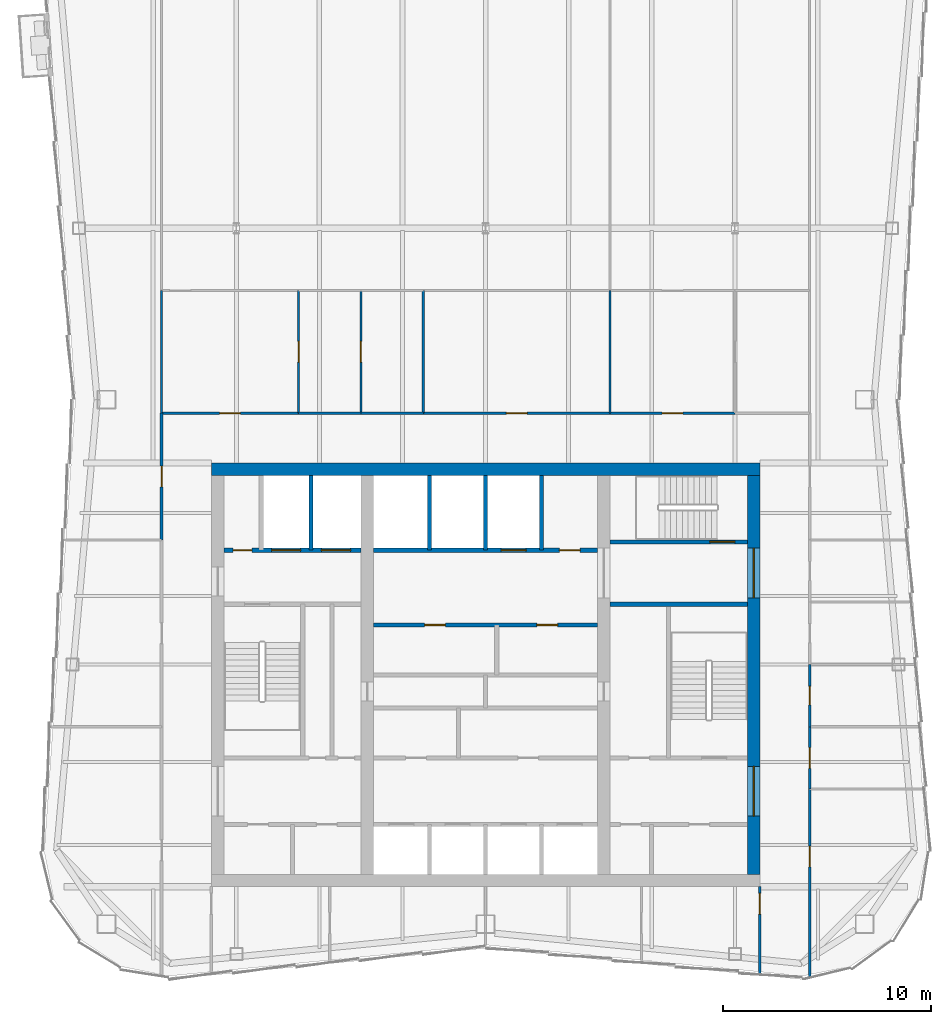
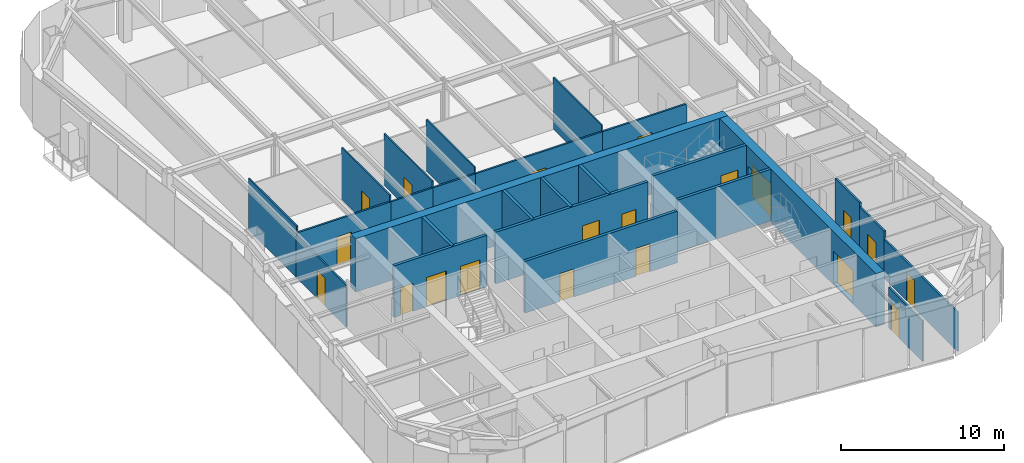
# One storey, part 7 of 11: 26 walls, 20 doors, 20 openings.
"""IFC4 building model written with IfcOpenShell, lengths in metres."""

import ifcopenshell
import ifcopenshell.guid

model = None  # the IFC model being written
_history = None  # IfcOwnerHistory: only IFC2X3 demands one
_inside = {}  # id of a spatial element -> (the spatial element, [elements in it])
_under = {}  # id of a project, library or spatial element -> (it, [spatial elements below it])
_declared = {}  # id of a project -> (the project, [libraries it declares])
_typed = {}  # id of a type object -> (the type object, [elements of that type])
_made_of = {}  # id of a material, layer set ... -> (it, [elements and type objects made of it])


def new_model(schema):
    """Start an empty IFC model of exactly this schema.

    Asked for "IFC4X3", IfcOpenShell would pick the latest addendum, in which some entities
    have other attributes; the version numbers below select the first issue.
    IFC2X3 requires an IfcOwnerHistory on every rooted entity: one is made here for all.
    """
    global model, _history
    if schema == "IFC4X3":
        model = ifcopenshell.file(schema_version=(4, 3, 0, 0))
    else:
        model = ifcopenshell.file(schema=schema)
    _inside.clear()
    _under.clear()
    _declared.clear()
    _typed.clear()
    _made_of.clear()
    _history = None
    if model.schema == "IFC2X3":
        org = make("IfcOrganization", Name="unknown")
        user = make(
            "IfcPersonAndOrganization",
            ThePerson=make("IfcPerson", FamilyName="unknown"),
            TheOrganization=org,
        )
        app = make(
            "IfcApplication",
            ApplicationDeveloper=org,
            Version="unknown",
            ApplicationFullName="unknown",
            ApplicationIdentifier="unknown",
        )
        _history = make(
            "IfcOwnerHistory",
            OwningUser=user,
            OwningApplication=app,
            ChangeAction="ADDED",
            CreationDate=0,
        )
    return model


def make(cls, **values):
    """One entity of the class cls with the attributes given. An attribute that is None is left unset."""
    return model.create_entity(
        cls, **{name: value for name, value in values.items() if value is not None}
    )


def rooted(cls, **values):
    """An entity with a GlobalId (a new one), such as an element, a storey or a relation."""
    return make(cls, GlobalId=ifcopenshell.guid.new(), OwnerHistory=_history, **values)


def si_unit(unit_type, name, prefix=None):
    """IfcSIUnit, for example si_unit("LENGTHUNIT", "METRE", prefix="MILLI")."""
    return make("IfcSIUnit", UnitType=unit_type, Prefix=prefix, Name=name)


def assignment(units):
    """IfcUnitAssignment: the units of a project."""
    return None if units is None else make("IfcUnitAssignment", Units=units)


def point(xyz):
    """IfcCartesianPoint."""
    return None if xyz is None else make("IfcCartesianPoint", Coordinates=xyz)


def direction(xyz):
    """IfcDirection."""
    return None if xyz is None else make("IfcDirection", DirectionRatios=xyz)


def frame(location, z_axis=None, x_axis=None):
    """IfcAxis2Placement3D, a coordinate frame: its origin and axes. An axis left out is left unset."""
    return make(
        "IfcAxis2Placement3D",
        Location=point(location),
        Axis=direction(z_axis),
        RefDirection=direction(x_axis),
    )


def frame_2d(location, x_axis=None):
    """IfcAxis2Placement2D, a coordinate frame in the plane: its origin and x axis."""
    return make(
        "IfcAxis2Placement2D", Location=point(location), RefDirection=direction(x_axis)
    )


def origin():
    """The frame at (0, 0, 0) with its axes left unset."""
    return frame((0.0, 0.0, 0.0))


def place(relative_to, where):
    """IfcLocalPlacement: puts the frame where relative to a parent placement (None: the world)."""
    return make(
        "IfcLocalPlacement", PlacementRelTo=relative_to, RelativePlacement=where
    )


def context(
    kind, dimensions, precision=None, world=None, true_north=None, identifier=None
):
    """IfcGeometricRepresentationContext, for example the 3D "Model" context."""
    return make(
        "IfcGeometricRepresentationContext",
        ContextIdentifier=identifier,
        ContextType=kind,
        CoordinateSpaceDimension=dimensions,
        Precision=precision,
        WorldCoordinateSystem=world,
        TrueNorth=true_north,
    )


def subcontext(parent, identifier, kind, view, scale=None):
    """IfcGeometricRepresentationSubContext, for example "Body" below "Model"."""
    return make(
        "IfcGeometricRepresentationSubContext",
        ContextIdentifier=identifier,
        ContextType=kind,
        ParentContext=parent,
        TargetScale=scale,
        TargetView=view,
    )


def project(units=None, contexts=None):
    """IfcProject with its units and contexts."""
    return rooted(
        "IfcProject",
        Name="project",
        RepresentationContexts=contexts,
        UnitsInContext=assignment(units),
    )


def spatial(cls, under=None, at=None, **own):
    """A site, building, storey or space (cls), placed at a placement, below another one or the project."""
    s = rooted(cls, ObjectPlacement=at, **own)
    if under is not None:
        _under.setdefault(under.id(), (under, []))[1].append(s)
    return s


def profile(cls, at=None, kind="AREA", **sizes):
    """A parametric profile (cls). Its sizes go by their IFC names, for example OverallWidth=200.0."""
    return make(cls, ProfileType=kind, Position=at, **sizes)


def rectangle(**sizes):
    """IfcRectangleProfileDef."""
    return profile("IfcRectangleProfileDef", **sizes)


def extrude(swept, where, along, depth):
    """IfcExtrudedAreaSolid: the profile swept, set in the frame where, extruded along a direction by depth."""
    return make(
        "IfcExtrudedAreaSolid",
        SweptArea=swept,
        Position=where,
        ExtrudedDirection=direction(along),
        Depth=depth,
    )


def shape(context_of_items, identifier, shape_type, items):
    """IfcShapeRepresentation: the items that make up one representation, for example the "Body"."""
    return make(
        "IfcShapeRepresentation",
        ContextOfItems=context_of_items,
        RepresentationIdentifier=identifier,
        RepresentationType=shape_type,
        Items=items,
    )


def material(Name=None, Category=None):
    """IfcMaterial."""
    return make("IfcMaterial", Name=Name, Category=Category)


def layer(
    of_material, thickness, ventilated=None, Name=None, Category=None, Priority=None
):
    """IfcMaterialLayer: one layer of a wall or slab, of a material (None: an air gap)."""
    return make(
        "IfcMaterialLayer",
        Material=of_material,
        LayerThickness=thickness,
        IsVentilated=ventilated,
        Name=Name,
        Category=Category,
        Priority=Priority,
    )


def layer_set(layers, Name=None):
    """IfcMaterialLayerSet."""
    return make("IfcMaterialLayerSet", MaterialLayers=layers, LayerSetName=Name)


def made_of(thing, what):
    """Note that an element or type object is made of a material, layer set ...; save() writes the relation."""
    if what is not None:
        _made_of.setdefault(what.id(), (what, []))[1].append(thing)
    return thing


def type_object(cls, material=None, **own):
    """A type object (cls), such as IfcWallType, which elements share."""
    return made_of(rooted(cls, **own), material)


def element(
    cls,
    number,
    at=None,
    inside=None,
    cuts=None,
    type_object=None,
    material=None,
    context=None,
    identifier="Body",
    shape_type=None,
    held_by="IfcProductDefinitionShape",
    body=None,
    shapes=None,
    **own,
):
    """One element of the class cls, such as IfcWall. Its Tag is "e" and its number.

    at: its placement. inside: the storey or other place that contains it. cuts: it is an
    opening in that element (IfcRelVoidsElement). A single representation is given by context,
    identifier, shape_type and body (its items); several are given by shapes. held_by: the class
    of the entity that holds the representations. save() writes the other relations.
    """
    e = rooted(cls, Tag="e%d" % number, ObjectPlacement=at, **own)
    if body is not None:
        shapes = [shape(context, identifier, shape_type, body)]
    if shapes is not None:
        e.Representation = make(held_by, Representations=shapes)
    if inside is not None:
        _inside.setdefault(inside.id(), (inside, []))[1].append(e)
    if cuts is not None:
        rooted(
            "IfcRelVoidsElement", RelatingBuildingElement=cuts, RelatedOpeningElement=e
        )
    if type_object is not None:
        _typed.setdefault(type_object.id(), (type_object, []))[1].append(e)
    return made_of(e, material)


def fill(opening, filler):
    """IfcRelFillsElement: the door or window that sits in an opening."""
    return rooted(
        "IfcRelFillsElement",
        RelatingOpeningElement=opening,
        RelatedBuildingElement=filler,
    )


def aggregate(whole, parts):
    """IfcRelAggregates: a whole, such as a stair, and the parts it consists of."""
    return rooted("IfcRelAggregates", RelatingObject=whole, RelatedObjects=parts)


def save(model, path):
    """Write the relations noted so far, then the file.

    IfcRelAggregates (storeys below a building ...), IfcRelContainedInSpatialStructure (elements
    in a storey), IfcRelDefinesByType, IfcRelAssociatesMaterial and IfcRelDeclares: one each for
    every whole, place, type object, material and project.
    """
    for whole, parts in _under.values():
        aggregate(whole, parts)
    for where, things in _inside.values():
        rooted(
            "IfcRelContainedInSpatialStructure",
            RelatedElements=things,
            RelatingStructure=where,
        )
    for kind, things in _typed.values():
        rooted("IfcRelDefinesByType", RelatedObjects=things, RelatingType=kind)
    for what, things in _made_of.values():
        rooted("IfcRelAssociatesMaterial", RelatedObjects=things, RelatingMaterial=what)
    for by, libraries in _declared.values():
        rooted("IfcRelDeclares", RelatingContext=by, RelatedDefinitions=libraries)
    model.write(path)


model = new_model("IFC4")

# Units and contexts
model_context = context("Model", 3, precision=1e-05, world=origin(), true_north=direction((0.0, 1.0)))
body_context = subcontext(model_context, "Body", "Model", "MODEL_VIEW")
ifc_project = project(units=[si_unit("LENGTHUNIT", "METRE"), si_unit("AREAUNIT", "SQUARE_METRE"), si_unit("VOLUMEUNIT", "CUBIC_METRE"), si_unit("PLANEANGLEUNIT", "RADIAN"), si_unit("MASSUNIT", "GRAM", prefix="KILO")], contexts=[model_context])

# Site, building, storey
site_placement = place(None, origin())
site = spatial("IfcSite", under=ifc_project, at=site_placement, CompositionType="ELEMENT")
building_placement = place(site_placement, origin())
building = spatial("IfcBuilding", under=site, at=building_placement, Name="Verdant Reach Tower", CompositionType="ELEMENT")
storey_placement = place(building_placement, frame((0.0, 0.0, 314.0)))
storey = spatial("IfcBuildingStorey", under=building, at=storey_placement, Name="L72", CompositionType="ELEMENT", Elevation=314.0)

# Wall, openings, doors
ifc_material_1 = material(Name="Gypsum board on steel studs", Category="steel")
ifc_layer_1 = layer(ifc_material_1, 0.199951171875)
ifc_layer_set_1 = layer_set([ifc_layer_1], Name="CO-WALL-ROOM")
wall_type_1 = type_object("IfcWallType", Name="CO-WALL-ROOM", PredefinedType="PARTITIONING", material=ifc_layer_set_1)
wall_1_placement = place(storey_placement, frame((-5.39990234375, 30.39990234375, 0.0), z_axis=(0.0, 0.0, 1.0), x_axis=(1.0, 0.0, 0.0)))
wall_1 = element("IfcWall", 1, at=wall_1_placement, inside=storey, type_object=wall_type_1, Name="Core partition, L72", PredefinedType="PARTITIONING", context=body_context, shape_type="SweptSolid", body=[
    extrude(rectangle(XDim=10.7998046875, YDim=0.199951171875, at=frame_2d((5.39990234375, 0.0))), origin(), (0.0, 0.0, 1.0), 3.8701171875),
])
opening_1_placement = place(wall_1_placement, frame((2.469970703125, 0.0, 0.0)))
opening_1 = element("IfcOpeningElement", 2, at=opening_1_placement, cuts=wall_1, Name="Opening CD", PredefinedType="OPENING", context=body_context, shape_type="SweptSolid", body=[
    extrude(rectangle(XDim=1.0, YDim=2.10009765625, at=frame_2d((0.5, 1.050048828125))), frame((0.0, 0.10986328125, 0.0), z_axis=(0.0, -1.0, 0.0), x_axis=(1.0, 0.0, 0.0)), (0.0, 0.0, 1.0), 0.219970703125),
])
opening_2_placement = place(wall_1_placement, frame((7.8701171875, 0.0, 0.0)))
opening_2 = element("IfcOpeningElement", 3, at=opening_2_placement, cuts=wall_1, Name="Opening CD", PredefinedType="OPENING", context=body_context, shape_type="SweptSolid", body=[
    extrude(rectangle(XDim=1.0, YDim=2.10009765625, at=frame_2d((0.5, 1.050048828125))), frame((0.0, 0.10986328125, 0.0), z_axis=(0.0, -1.0, 0.0), x_axis=(1.0, 0.0, 0.0)), (0.0, 0.0, 1.0), 0.219970703125),
])
ifc_material_2 = material(Name="Timber", Category="wood")
door_type_1 = type_object("IfcDoorType", Name="CO-DOOR-ROOM", OperationType="NOTDEFINED", PredefinedType="DOOR", material=ifc_material_2)
door_1_placement = place(opening_1_placement, origin())
door_1 = element("IfcDoor", 4, at=door_1_placement, inside=storey, type_object=door_type_1, Name="Core room door, L72", OperationType="SINGLE_SWING_RIGHT", OverallHeight=2.10009765625, OverallWidth=1.0, PredefinedType="DOOR", context=body_context, shape_type="SweptSolid", body=[
    extrude(rectangle(XDim=1.0, YDim=2.10009765625, at=frame_2d((0.5, 1.050048828125))), frame((0.0, 0.02490234375, 0.0), z_axis=(0.0, -1.0, 0.0), x_axis=(1.0, 0.0, 0.0)), (0.0, 0.0, 1.0), 0.050048828125),
])
fill(opening_1, door_1)
door_2_placement = place(opening_2_placement, origin())
door_2 = element("IfcDoor", 5, at=door_2_placement, inside=storey, type_object=door_type_1, Name="Core room door, L72", OperationType="SINGLE_SWING_LEFT", OverallHeight=2.10009765625, OverallWidth=1.0, PredefinedType="DOOR", context=body_context, shape_type="SweptSolid", body=[
    extrude(rectangle(XDim=1.0, YDim=2.10009765625, at=frame_2d((0.5, 1.050048828125))), frame((0.0, 0.02490234375, 0.0), z_axis=(0.0, -1.0, 0.0), x_axis=(1.0, 0.0, 0.0)), (0.0, 0.0, 1.0), 0.050048828125),
])
fill(opening_2, door_2)

ifc_material_3 = material(Name="Concrete C40/50", Category="concrete")
ifc_layer_2 = layer(ifc_material_3, 0.199951171875)
ifc_layer_set_2 = layer_set([ifc_layer_2], Name="CO-WALL-SHAFT")
wall_type_2 = type_object("IfcWallType", Name="CO-WALL-SHAFT", PredefinedType="PARTITIONING", material=ifc_layer_set_2)
wall_2_placement = place(storey_placement, frame((-12.60009765625, 34.0, 0.0), z_axis=(0.0, 0.0, 1.0), x_axis=(1.0, 0.0, 0.0)))
wall_2 = element("IfcWall", 6, at=wall_2_placement, inside=storey, type_object=wall_type_2, Name="Lift shaft wall, L72", PredefinedType="PARTITIONING", context=body_context, shape_type="SweptSolid", body=[
    extrude(rectangle(XDim=6.60009765625, YDim=0.199951171875, at=frame_2d((3.300048828125, 0.0))), origin(), (0.0, 0.0, 1.0), 3.8701171875),
])
opening_3_placement = place(wall_2_placement, frame((4.699951171875, 0.0, 0.0)))
opening_3 = element("IfcOpeningElement", 7, at=opening_3_placement, cuts=wall_2, Name="Opening LD-F1", PredefinedType="OPENING", context=body_context, shape_type="SweptSolid", body=[
    extrude(rectangle(XDim=1.39990234375, YDim=2.199951171875, at=frame_2d((0.699951171875, 1.10009765625))), frame((0.0, 0.10986328125, 0.0), z_axis=(0.0, -1.0, 0.0), x_axis=(1.0, 0.0, 0.0)), (0.0, 0.0, 1.0), 0.219970703125),
])
opening_4_placement = place(wall_2_placement, frame((2.300048828125, 0.0, 0.0)))
opening_4 = element("IfcOpeningElement", 8, at=opening_4_placement, cuts=wall_2, Name="Opening LD-F2", PredefinedType="OPENING", context=body_context, shape_type="SweptSolid", body=[
    extrude(rectangle(XDim=1.39990234375, YDim=2.199951171875, at=frame_2d((0.699951171875, 1.10009765625))), frame((0.0, 0.10986328125, 0.0), z_axis=(0.0, -1.0, 0.0), x_axis=(1.0, 0.0, 0.0)), (0.0, 0.0, 1.0), 0.219970703125),
])
opening_5_placement = place(wall_2_placement, frame((0.449951171875, 0.0, 0.0)))
opening_5 = element("IfcOpeningElement", 9, at=opening_5_placement, cuts=wall_2, Name="Opening RD", PredefinedType="OPENING", context=body_context, shape_type="SweptSolid", body=[
    extrude(rectangle(XDim=0.89990234375, YDim=2.10009765625, at=frame_2d((0.449951171875, 1.050048828125))), frame((0.0, 0.10986328125, 0.0), z_axis=(0.0, -1.0, 0.0), x_axis=(1.0, 0.0, 0.0)), (0.0, 0.0, 1.0), 0.219970703125),
])
ifc_material_4 = material(Name="Stainless steel", Category="steel")
door_type_2 = type_object("IfcDoorType", Name="CO-DOOR-LANDING-FF", OperationType="SLIDING_TO_LEFT", PredefinedType="DOOR", material=ifc_material_4)
door_3_placement = place(opening_3_placement, origin())
door_3 = element("IfcDoor", 10, at=door_3_placement, inside=storey, type_object=door_type_2, Name="Landing door F1, L72", OperationType="SLIDING_TO_LEFT", OverallHeight=2.199951171875, OverallWidth=1.39990234375, PredefinedType="DOOR", context=body_context, shape_type="SweptSolid", body=[
    extrude(rectangle(XDim=1.39990234375, YDim=2.199951171875, at=frame_2d((0.699951171875, 1.10009765625))), frame((0.0, 0.02490234375, 0.0), z_axis=(0.0, -1.0, 0.0), x_axis=(1.0, 0.0, 0.0)), (0.0, 0.0, 1.0), 0.050048828125),
])
fill(opening_3, door_3)
door_4_placement = place(opening_4_placement, origin())
door_4 = element("IfcDoor", 11, at=door_4_placement, inside=storey, type_object=door_type_2, Name="Landing door F2, L72", OperationType="SLIDING_TO_LEFT", OverallHeight=2.199951171875, OverallWidth=1.39990234375, PredefinedType="DOOR", context=body_context, shape_type="SweptSolid", body=[
    extrude(rectangle(XDim=1.39990234375, YDim=2.199951171875, at=frame_2d((0.699951171875, 1.10009765625))), frame((0.0, 0.02490234375, 0.0), z_axis=(0.0, -1.0, 0.0), x_axis=(1.0, 0.0, 0.0)), (0.0, 0.0, 1.0), 0.050048828125),
])
fill(opening_4, door_4)
ifc_material_5 = material(Name="Steel", Category="steel")
door_type_3 = type_object("IfcDoorType", Name="CO-DOOR-RISER", OperationType="NOTDEFINED", PredefinedType="DOOR", material=ifc_material_5)
door_5_placement = place(opening_5_placement, origin())
door_5 = element("IfcDoor", 12, at=door_5_placement, inside=storey, type_object=door_type_3, Name="Core room door, L72", OperationType="SINGLE_SWING_RIGHT", OverallHeight=2.10009765625, OverallWidth=0.89990234375, PredefinedType="DOOR", context=body_context, shape_type="SweptSolid", body=[
    extrude(rectangle(XDim=0.89990234375, YDim=2.10009765625, at=frame_2d((0.449951171875, 1.050048828125))), frame((0.0, 0.02490234375, 0.0), z_axis=(0.0, -1.0, 0.0), x_axis=(1.0, 0.0, 0.0)), (0.0, 0.0, 1.0), 0.050048828125),
])
fill(opening_5, door_5)

wall_3_placement = place(storey_placement, frame((-5.39990234375, 34.0, 0.0), z_axis=(0.0, 0.0, 1.0), x_axis=(1.0, 0.0, 0.0)))
wall_3 = element("IfcWall", 13, at=wall_3_placement, inside=storey, type_object=wall_type_2, Name="Lift shaft wall, L72", PredefinedType="PARTITIONING", context=body_context, shape_type="SweptSolid", body=[
    extrude(rectangle(XDim=10.7998046875, YDim=0.199951171875, at=frame_2d((5.39990234375, 0.0))), origin(), (0.0, 0.0, 1.0), 3.8701171875),
])
opening_6_placement = place(wall_3_placement, frame((6.14990234375, 0.0, 0.0)))
opening_6 = element("IfcOpeningElement", 14, at=opening_6_placement, cuts=wall_3, Name="Opening LD-SL1", PredefinedType="OPENING", context=body_context, shape_type="SweptSolid", body=[
    extrude(rectangle(XDim=1.199951171875, YDim=2.199951171875, at=frame_2d((0.60009765625, 1.10009765625))), frame((0.0, 0.10986328125, 0.0), z_axis=(0.0, -1.0, 0.0), x_axis=(1.0, 0.0, 0.0)), (0.0, 0.0, 1.0), 0.219970703125),
])
opening_7_placement = place(wall_3_placement, frame((8.949951171875, 0.0, 0.0)))
opening_7 = element("IfcOpeningElement", 15, at=opening_7_placement, cuts=wall_3, Name="Opening CD", PredefinedType="OPENING", context=body_context, shape_type="SweptSolid", body=[
    extrude(rectangle(XDim=1.0, YDim=2.10009765625, at=frame_2d((0.5, 1.050048828125))), frame((0.0, 0.10986328125, 0.0), z_axis=(0.0, -1.0, 0.0), x_axis=(1.0, 0.0, 0.0)), (0.0, 0.0, 1.0), 0.219970703125),
])
door_type_4 = type_object("IfcDoorType", Name="CO-DOOR-LANDING", OperationType="SLIDING_TO_LEFT", PredefinedType="DOOR", material=ifc_material_4)
door_6_placement = place(opening_6_placement, origin())
door_6 = element("IfcDoor", 16, at=door_6_placement, inside=storey, type_object=door_type_4, Name="Landing door SL1, L72", OperationType="SLIDING_TO_LEFT", OverallHeight=2.199951171875, OverallWidth=1.199951171875, PredefinedType="DOOR", context=body_context, shape_type="SweptSolid", body=[
    extrude(rectangle(XDim=1.199951171875, YDim=2.199951171875, at=frame_2d((0.60009765625, 1.10009765625))), frame((0.0, 0.02490234375, 0.0), z_axis=(0.0, -1.0, 0.0), x_axis=(1.0, 0.0, 0.0)), (0.0, 0.0, 1.0), 0.050048828125),
])
fill(opening_6, door_6)
door_7_placement = place(opening_7_placement, origin())
door_7 = element("IfcDoor", 17, at=door_7_placement, inside=storey, type_object=door_type_1, Name="Core room door, L72", OperationType="SINGLE_SWING_LEFT", OverallHeight=2.10009765625, OverallWidth=1.0, PredefinedType="DOOR", context=body_context, shape_type="SweptSolid", body=[
    extrude(rectangle(XDim=1.0, YDim=2.10009765625, at=frame_2d((0.5, 1.050048828125))), frame((0.0, 0.02490234375, 0.0), z_axis=(0.0, -1.0, 0.0), x_axis=(1.0, 0.0, 0.0)), (0.0, 0.0, 1.0), 0.050048828125),
])
fill(opening_7, door_7)

# Walls
for number, where, z_axis, x_axis, name in (
    (18, (-8.39990234375, 34.0, 0.0), (0.0, 0.0, 1.0), (0.0, 1.0, 0.0), "Lift shaft wall, L72"),
    (19, (-2.699951171875, 34.0, 0.0), (0.0, 0.0, 1.0), (0.0, 1.0, 0.0), "Lift shaft wall, L72"),
    (20, (0.0, 34.0, 0.0), (0.0, 0.0, 1.0), (0.0, 1.0, 0.0), "Lift shaft wall, L72"),
    (21, (2.699951171875, 34.0, 0.0), (0.0, 0.0, 1.0), (0.0, 1.0, 0.0), "Lift shaft wall, L72"),
):
    element("IfcWall", number, at=place(storey_placement, frame(where, z_axis=z_axis, x_axis=x_axis)), inside=storey, type_object=wall_type_2, Name=name, PredefinedType="PARTITIONING", context=body_context, shape_type="SweptSolid", body=[
        extrude(rectangle(XDim=3.60009765625, YDim=0.199951171875, at=frame_2d((1.800048828125, 0.0))), origin(), (0.0, 0.0, 1.0), 3.8701171875),
    ])
ifc_layer_3 = layer(ifc_material_3, 0.199951171875)
ifc_layer_set_3 = layer_set([ifc_layer_3], Name="CO-WALL-STAIR")
wall_type_3 = type_object("IfcWallType", Name="CO-WALL-STAIR", PredefinedType="PARTITIONING", material=ifc_layer_set_3)
wall_4_placement = place(storey_placement, frame((6.0, 31.39990234375, 0.0), z_axis=(0.0, 0.0, 1.0), x_axis=(1.0, 0.0, 0.0)))
element("IfcWall", 22, at=wall_4_placement, inside=storey, type_object=wall_type_3, Name="Stair enclosure wall, L72", PredefinedType="PARTITIONING", context=body_context, shape_type="SweptSolid", body=[
    extrude(rectangle(XDim=6.60009765625, YDim=0.199951171875, at=frame_2d((3.300048828125, 0.0))), origin(), (0.0, 0.0, 1.0), 3.8701171875),
])

# Wall, opening, door
wall_5_placement = place(storey_placement, frame((6.0, 34.39990234375, 0.0), z_axis=(0.0, 0.0, 1.0), x_axis=(1.0, 0.0, 0.0)))
wall_5 = element("IfcWall", 23, at=wall_5_placement, inside=storey, type_object=wall_type_3, Name="Stair enclosure wall, L72", PredefinedType="PARTITIONING", context=body_context, shape_type="SweptSolid", body=[
    extrude(rectangle(XDim=6.60009765625, YDim=0.199951171875, at=frame_2d((3.300048828125, 0.0))), origin(), (0.0, 0.0, 1.0), 3.8701171875),
])
opening_8_placement = place(wall_5_placement, frame((4.800048828125, 0.0, 0.0)))
opening_8 = element("IfcOpeningElement", 24, at=opening_8_placement, cuts=wall_5, Name="Opening SD", PredefinedType="OPENING", context=body_context, shape_type="SweptSolid", body=[
    extrude(rectangle(XDim=1.199951171875, YDim=2.199951171875, at=frame_2d((0.60009765625, 1.10009765625))), frame((0.0, 0.10986328125, 0.0), z_axis=(0.0, -1.0, 0.0), x_axis=(1.0, 0.0, 0.0)), (0.0, 0.0, 1.0), 0.219970703125),
])
door_type_5 = type_object("IfcDoorType", Name="CO-DOOR-STAIR", OperationType="NOTDEFINED", PredefinedType="DOOR", material=ifc_material_5)
door_8_placement = place(opening_8_placement, origin())
door_8 = element("IfcDoor", 25, at=door_8_placement, inside=storey, type_object=door_type_5, Name="Stair door, L72", OperationType="SINGLE_SWING_RIGHT", OverallHeight=2.199951171875, OverallWidth=1.199951171875, PredefinedType="DOOR", context=body_context, shape_type="SweptSolid", body=[
    extrude(rectangle(XDim=1.199951171875, YDim=2.199951171875, at=frame_2d((0.60009765625, 1.10009765625))), frame((0.0, 0.02490234375, 0.0), z_axis=(0.0, -1.0, 0.0), x_axis=(1.0, 0.0, 0.0)), (0.0, 0.0, 1.0), 0.050048828125),
])
fill(opening_8, door_8)

# Wall
ifc_layer_4 = layer(ifc_material_1, 0.10009765625)
ifc_layer_set_4 = layer_set([ifc_layer_4], Name="FL-W1 Partition 100")
wall_type_4 = type_object("IfcWallType", Name="FL-W1 Partition 100", PredefinedType="PARTITIONING", material=ifc_layer_set_4)
wall_6_placement = place(storey_placement, frame((-15.60009765625, 40.60009765625, 0.0), z_axis=(0.0, 0.0, 1.0), x_axis=(0.0, 1.0, 0.0)))
element("IfcWall", 26, at=wall_6_placement, inside=storey, type_object=wall_type_4, Name="Partition 72.20", PredefinedType="PARTITIONING", context=body_context, shape_type="SweptSolid", body=[
    extrude(rectangle(XDim=5.89990234375, YDim=0.10009765625, at=frame_2d((2.949951171875, 0.0))), origin(), (0.0, 0.0, 1.0), 3.8701171875),
])

# Wall, opening, door
wall_7_placement = place(storey_placement, frame((-9.0, 46.5, 0.0), z_axis=(0.0, 0.0, 1.0), x_axis=(0.0, -1.0, 0.0)))
wall_7 = element("IfcWall", 27, at=wall_7_placement, inside=storey, type_object=wall_type_4, Name="Partition 72.34", PredefinedType="PARTITIONING", context=body_context, shape_type="SweptSolid", body=[
    extrude(rectangle(XDim=5.89990234375, YDim=0.10009765625, at=frame_2d((2.949951171875, 0.0))), origin(), (0.0, 0.0, 1.0), 3.8701171875),
])
opening_9_placement = place(wall_7_placement, frame((2.449951171875, 0.0, 0.0)))
opening_9 = element("IfcOpeningElement", 28, at=opening_9_placement, cuts=wall_7, Name="Opening D3", PredefinedType="OPENING", context=body_context, shape_type="SweptSolid", body=[
    extrude(rectangle(XDim=1.0, YDim=2.10009765625, at=frame_2d((0.5, 1.050048828125))), frame((0.0, 0.06005859375, 0.0), z_axis=(0.0, -1.0, 0.0), x_axis=(1.0, 0.0, 0.0)), (0.0, 0.0, 1.0), 0.1201171875),
])
ifc_material_6 = material(Name="Painted timber door leaf", Category="wood")
door_type_6 = type_object("IfcDoorType", Name="FL-D3 Door 1000x2100", OperationType="NOTDEFINED", PredefinedType="DOOR", material=ifc_material_6)
door_9_placement = place(opening_9_placement, origin())
door_9 = element("IfcDoor", 29, at=door_9_placement, inside=storey, type_object=door_type_6, Name="Door 72-017", OperationType="SINGLE_SWING_LEFT", OverallHeight=2.10009765625, OverallWidth=1.0, PredefinedType="DOOR", context=body_context, shape_type="SweptSolid", body=[
    extrude(rectangle(XDim=1.0, YDim=2.10009765625, at=frame_2d((0.5, 1.050048828125))), frame((0.0, 0.02490234375, 0.0), z_axis=(0.0, -1.0, 0.0), x_axis=(1.0, 0.0, 0.0)), (0.0, 0.0, 1.0), 0.050048828125),
])
fill(opening_9, door_9)

wall_8_placement = place(storey_placement, frame((-6.0, 46.5, 0.0), z_axis=(0.0, 0.0, 1.0), x_axis=(0.0, -1.0, 0.0)))
wall_8 = element("IfcWall", 30, at=wall_8_placement, inside=storey, type_object=wall_type_4, Name="Partition 72.36", PredefinedType="PARTITIONING", context=body_context, shape_type="SweptSolid", body=[
    extrude(rectangle(XDim=5.89990234375, YDim=0.10009765625, at=frame_2d((2.949951171875, 0.0))), origin(), (0.0, 0.0, 1.0), 3.8701171875),
])
opening_10_placement = place(wall_8_placement, frame((2.449951171875, 0.0, 0.0)))
opening_10 = element("IfcOpeningElement", 31, at=opening_10_placement, cuts=wall_8, Name="Opening D3", PredefinedType="OPENING", context=body_context, shape_type="SweptSolid", body=[
    extrude(rectangle(XDim=1.0, YDim=2.10009765625, at=frame_2d((0.5, 1.050048828125))), frame((0.0, 0.06005859375, 0.0), z_axis=(0.0, -1.0, 0.0), x_axis=(1.0, 0.0, 0.0)), (0.0, 0.0, 1.0), 0.1201171875),
])
door_10_placement = place(opening_10_placement, origin())
door_10 = element("IfcDoor", 32, at=door_10_placement, inside=storey, type_object=door_type_6, Name="Door 72-019", OperationType="SINGLE_SWING_LEFT", OverallHeight=2.10009765625, OverallWidth=1.0, PredefinedType="DOOR", context=body_context, shape_type="SweptSolid", body=[
    extrude(rectangle(XDim=1.0, YDim=2.10009765625, at=frame_2d((0.5, 1.050048828125))), frame((0.0, 0.02490234375, 0.0), z_axis=(0.0, -1.0, 0.0), x_axis=(1.0, 0.0, 0.0)), (0.0, 0.0, 1.0), 0.050048828125),
])
fill(opening_10, door_10)

# Walls
for number, where, z_axis, x_axis, name in (
    (33, (-3.0, 40.60009765625, 0.0), (0.0, 0.0, 1.0), (0.0, 1.0, 0.0), "Partition 72.38"),
    (34, (6.0, 40.60009765625, 0.0), (0.0, 0.0, 1.0), (0.0, 1.0, 0.0), "Partition 72.41"),
):
    element("IfcWall", number, at=place(storey_placement, frame(where, z_axis=z_axis, x_axis=x_axis)), inside=storey, type_object=wall_type_4, Name=name, PredefinedType="PARTITIONING", context=body_context, shape_type="SweptSolid", body=[
        extrude(rectangle(XDim=5.89990234375, YDim=0.10009765625, at=frame_2d((2.949951171875, 0.0))), origin(), (0.0, 0.0, 1.0), 3.8701171875),
    ])

# Wall, opening, door
ifc_material_7 = material(Name="Gypsum board on steel studs, fire rated", Category="steel")
ifc_layer_5 = layer(ifc_material_7, 0.125)
ifc_layer_set_5 = layer_set([ifc_layer_5], Name="FL-W2 Corridor wall 125")
wall_type_5 = type_object("IfcWallType", Name="FL-W2 Corridor wall 125", PredefinedType="PARTITIONING", material=ifc_layer_set_5)
wall_9_placement = place(storey_placement, frame((-15.60009765625, 34.5, 0.0), z_axis=(0.0, 0.0, 1.0), x_axis=(0.0, 1.0, 0.0)))
wall_9 = element("IfcWall", 35, at=wall_9_placement, inside=storey, type_object=wall_type_5, Name="Partition 72.03", PredefinedType="PARTITIONING", context=body_context, shape_type="SweptSolid", body=[
    extrude(rectangle(XDim=6.10400390625, YDim=0.125, at=frame_2d((3.052001953125, 0.0))), origin(), (0.0, 0.0, 1.0), 3.139892578125),
])
opening_11_placement = place(wall_9_placement, frame((2.552001953125, 0.0, 0.0)))
opening_11 = element("IfcOpeningElement", 36, at=opening_11_placement, cuts=wall_9, Name="Opening D2", PredefinedType="OPENING", context=body_context, shape_type="SweptSolid", body=[
    extrude(rectangle(XDim=1.0, YDim=2.10009765625, at=frame_2d((0.5, 1.050048828125))), frame((0.0, 0.072509765625, 0.0), z_axis=(0.0, -1.0, 0.0), x_axis=(1.0, 0.0, 0.0)), (0.0, 0.0, 1.0), 0.14501953125),
])
ifc_material_8 = material(Name="Timber door leaf, fire rated", Category="wood")
door_type_7 = type_object("IfcDoorType", Name="FL-D2 Entrance door 1000x2100 FD30", OperationType="NOTDEFINED", PredefinedType="DOOR", material=ifc_material_8)
door_11_placement = place(opening_11_placement, origin())
door_11 = element("IfcDoor", 37, at=door_11_placement, inside=storey, type_object=door_type_7, Name="Door 72-003", OperationType="SINGLE_SWING_LEFT", OverallHeight=2.10009765625, OverallWidth=1.0, PredefinedType="DOOR", context=body_context, shape_type="SweptSolid", body=[
    extrude(rectangle(XDim=1.0, YDim=2.10009765625, at=frame_2d((0.5, 1.050048828125))), frame((0.0, 0.02490234375, 0.0), z_axis=(0.0, -1.0, 0.0), x_axis=(1.0, 0.0, 0.0)), (0.0, 0.0, 1.0), 0.050048828125),
])
fill(opening_11, door_11)

wall_10_placement = place(storey_placement, frame((15.60009765625, 22.5, 0.0), z_axis=(0.0, 0.0, 1.0), x_axis=(0.0, -1.0, 0.0)))
wall_10 = element("IfcWall", 38, at=wall_10_placement, inside=storey, type_object=wall_type_5, Name="Partition 72.04", PredefinedType="PARTITIONING", context=body_context, shape_type="SweptSolid", body=[
    extrude(rectangle(XDim=9.010498046875, YDim=0.125, at=frame_2d((4.50537109375, 0.0))), origin(), (0.0, 0.0, 1.0), 2.929931640625),
])
opening_12_placement = place(wall_10_placement, frame((2.73974609375, 0.0, 0.0)))
opening_12 = element("IfcOpeningElement", 39, at=opening_12_placement, cuts=wall_10, Name="Opening D2", PredefinedType="OPENING", context=body_context, shape_type="SweptSolid", body=[
    extrude(rectangle(XDim=1.0, YDim=2.10009765625, at=frame_2d((0.5, 1.050048828125))), frame((0.0, 0.072509765625, 0.0), z_axis=(0.0, -1.0, 0.0), x_axis=(1.0, 0.0, 0.0)), (0.0, 0.0, 1.0), 0.14501953125),
])
door_12_placement = place(opening_12_placement, origin())
door_12 = element("IfcDoor", 40, at=door_12_placement, inside=storey, type_object=door_type_7, Name="Door 72-004", OperationType="SINGLE_SWING_LEFT", OverallHeight=2.10009765625, OverallWidth=1.0, PredefinedType="DOOR", context=body_context, shape_type="SweptSolid", body=[
    extrude(rectangle(XDim=1.0, YDim=2.10009765625, at=frame_2d((0.5, 1.050048828125))), frame((0.0, 0.02490234375, 0.0), z_axis=(0.0, -1.0, 0.0), x_axis=(1.0, 0.0, 0.0)), (0.0, 0.0, 1.0), 0.050048828125),
])
fill(opening_12, door_12)

wall_11_placement = place(storey_placement, frame((15.60009765625, 25.5, 0.0), z_axis=(0.0, 0.0, 1.0), x_axis=(0.0, -1.0, 0.0)))
wall_11 = element("IfcWall", 41, at=wall_11_placement, inside=storey, type_object=wall_type_5, Name="Partition 72.05", PredefinedType="PARTITIONING", context=body_context, shape_type="SweptSolid", body=[
    extrude(rectangle(XDim=3.0, YDim=0.125, at=frame_2d((1.5, 0.0))), origin(), (0.0, 0.0, 1.0), 3.5400390625),
])
opening_13_placement = place(wall_11_placement, frame((1.0, 0.0, 0.0)))
opening_13 = element("IfcOpeningElement", 42, at=opening_13_placement, cuts=wall_11, Name="Opening D2", PredefinedType="OPENING", context=body_context, shape_type="SweptSolid", body=[
    extrude(rectangle(XDim=1.0, YDim=2.10009765625, at=frame_2d((0.5, 1.050048828125))), frame((0.0, 0.072509765625, 0.0), z_axis=(0.0, -1.0, 0.0), x_axis=(1.0, 0.0, 0.0)), (0.0, 0.0, 1.0), 0.14501953125),
])
door_13_placement = place(opening_13_placement, origin())
door_13 = element("IfcDoor", 43, at=door_13_placement, inside=storey, type_object=door_type_7, Name="Door 72-005", OperationType="SINGLE_SWING_LEFT", OverallHeight=2.10009765625, OverallWidth=1.0, PredefinedType="DOOR", context=body_context, shape_type="SweptSolid", body=[
    extrude(rectangle(XDim=1.0, YDim=2.10009765625, at=frame_2d((0.5, 1.050048828125))), frame((0.0, 0.02490234375, 0.0), z_axis=(0.0, -1.0, 0.0), x_axis=(1.0, 0.0, 0.0)), (0.0, 0.0, 1.0), 0.050048828125),
])
fill(opening_13, door_13)

wall_12_placement = place(storey_placement, frame((15.60009765625, 28.5, 0.0), z_axis=(0.0, 0.0, 1.0), x_axis=(0.0, -1.0, 0.0)))
wall_12 = element("IfcWall", 44, at=wall_12_placement, inside=storey, type_object=wall_type_5, Name="Partition 72.06", PredefinedType="PARTITIONING", context=body_context, shape_type="SweptSolid", body=[
    extrude(rectangle(XDim=3.0, YDim=0.125, at=frame_2d((1.5, 0.0))), origin(), (0.0, 0.0, 1.0), 3.8701171875),
])
opening_14_placement = place(wall_12_placement, frame((1.050048828125, 0.0, 0.0)))
opening_14 = element("IfcOpeningElement", 45, at=opening_14_placement, cuts=wall_12, Name="Opening D1", PredefinedType="OPENING", context=body_context, shape_type="SweptSolid", body=[
    extrude(rectangle(XDim=0.89990234375, YDim=2.10009765625, at=frame_2d((0.449951171875, 1.050048828125))), frame((0.0, 0.072509765625, 0.0), z_axis=(0.0, -1.0, 0.0), x_axis=(1.0, 0.0, 0.0)), (0.0, 0.0, 1.0), 0.14501953125),
])
door_type_8 = type_object("IfcDoorType", Name="FL-D1 Door 900x2100", OperationType="NOTDEFINED", PredefinedType="DOOR", material=ifc_material_6)
door_14_placement = place(opening_14_placement, origin())
door_14 = element("IfcDoor", 46, at=door_14_placement, inside=storey, type_object=door_type_8, Name="Door 72-006", OperationType="SINGLE_SWING_RIGHT", OverallHeight=2.10009765625, OverallWidth=0.89990234375, PredefinedType="DOOR", context=body_context, shape_type="SweptSolid", body=[
    extrude(rectangle(XDim=0.89990234375, YDim=2.10009765625, at=frame_2d((0.449951171875, 1.050048828125))), frame((0.0, 0.02490234375, 0.0), z_axis=(0.0, -1.0, 0.0), x_axis=(1.0, 0.0, 0.0)), (0.0, 0.0, 1.0), 0.050048828125),
])
fill(opening_14, door_14)

wall_13_placement = place(storey_placement, frame((13.199951171875, 13.62158203125, 0.0), z_axis=(0.0, 0.0, 1.0), x_axis=(0.0, 1.0, 0.0)))
wall_13 = element("IfcWall", 47, at=wall_13_placement, inside=storey, type_object=wall_type_5, Name="Partition 72.11", PredefinedType="PARTITIONING", context=body_context, shape_type="SweptSolid", body=[
    extrude(rectangle(XDim=4.178466796875, YDim=0.125, at=frame_2d((2.08935546875, 0.0))), origin(), (0.0, 0.0, 1.0), 3.0400390625),
])
opening_15_placement = place(wall_13_placement, frame((2.854248046875, 0.0, 0.0)))
opening_15 = element("IfcOpeningElement", 48, at=opening_15_placement, cuts=wall_13, Name="Opening D2", PredefinedType="OPENING", context=body_context, shape_type="SweptSolid", body=[
    extrude(rectangle(XDim=1.0, YDim=2.10009765625, at=frame_2d((0.5, 1.050048828125))), frame((0.0, 0.072509765625, 0.0), z_axis=(0.0, -1.0, 0.0), x_axis=(1.0, 0.0, 0.0)), (0.0, 0.0, 1.0), 0.14501953125),
])
door_15_placement = place(opening_15_placement, origin())
door_15 = element("IfcDoor", 49, at=door_15_placement, inside=storey, type_object=door_type_7, Name="Door 72-011", OperationType="SINGLE_SWING_RIGHT", OverallHeight=2.10009765625, OverallWidth=1.0, PredefinedType="DOOR", context=body_context, shape_type="SweptSolid", body=[
    extrude(rectangle(XDim=1.0, YDim=2.10009765625, at=frame_2d((0.5, 1.050048828125))), frame((0.0, 0.02490234375, 0.0), z_axis=(0.0, -1.0, 0.0), x_axis=(1.0, 0.0, 0.0)), (0.0, 0.0, 1.0), 0.050048828125),
])
fill(opening_15, door_15)

wall_14_placement = place(storey_placement, frame((-15.60009765625, 40.60009765625, 0.0), z_axis=(0.0, 0.0, 1.0), x_axis=(1.0, 0.0, 0.0)))
wall_14 = element("IfcWall", 50, at=wall_14_placement, inside=storey, type_object=wall_type_5, Name="Partition 72.12", PredefinedType="PARTITIONING", context=body_context, shape_type="SweptSolid", body=[
    extrude(rectangle(XDim=6.60009765625, YDim=0.125, at=frame_2d((3.300048828125, 0.0))), origin(), (0.0, 0.0, 1.0), 3.389892578125),
])
opening_16_placement = place(wall_14_placement, frame((2.800048828125, 0.0, 0.0)))
opening_16 = element("IfcOpeningElement", 51, at=opening_16_placement, cuts=wall_14, Name="Opening D2", PredefinedType="OPENING", context=body_context, shape_type="SweptSolid", body=[
    extrude(rectangle(XDim=1.0, YDim=2.10009765625, at=frame_2d((0.5, 1.050048828125))), frame((0.0, 0.072509765625, 0.0), z_axis=(0.0, -1.0, 0.0), x_axis=(1.0, 0.0, 0.0)), (0.0, 0.0, 1.0), 0.14501953125),
])
door_16_placement = place(opening_16_placement, origin())
door_16 = element("IfcDoor", 52, at=door_16_placement, inside=storey, type_object=door_type_7, Name="Door 72-012", OperationType="SINGLE_SWING_RIGHT", OverallHeight=2.10009765625, OverallWidth=1.0, PredefinedType="DOOR", context=body_context, shape_type="SweptSolid", body=[
    extrude(rectangle(XDim=1.0, YDim=2.10009765625, at=frame_2d((0.5, 1.050048828125))), frame((0.0, 0.02490234375, 0.0), z_axis=(0.0, -1.0, 0.0), x_axis=(1.0, 0.0, 0.0)), (0.0, 0.0, 1.0), 0.050048828125),
])
fill(opening_16, door_16)

# Walls
for number, where, z_axis, x_axis, name in (
    (53, (-6.0, 40.60009765625, 0.0), (0.0, 0.0, 1.0), (-1.0, 0.0, 0.0), "Partition 72.13"),
    (54, (-3.0, 40.60009765625, 0.0), (0.0, 0.0, 1.0), (-1.0, 0.0, 0.0), "Partition 72.14"),
):
    element("IfcWall", number, at=place(storey_placement, frame(where, z_axis=z_axis, x_axis=x_axis)), inside=storey, type_object=wall_type_5, Name=name, PredefinedType="PARTITIONING", context=body_context, shape_type="SweptSolid", body=[
        extrude(rectangle(XDim=3.0, YDim=0.125, at=frame_2d((1.5, 0.0))), origin(), (0.0, 0.0, 1.0), 3.389892578125),
    ])

# Wall, opening, door
wall_15_placement = place(storey_placement, frame((-3.0, 40.60009765625, 0.0), z_axis=(0.0, 0.0, 1.0), x_axis=(1.0, 0.0, 0.0)))
wall_15 = element("IfcWall", 55, at=wall_15_placement, inside=storey, type_object=wall_type_5, Name="Partition 72.15", PredefinedType="PARTITIONING", context=body_context, shape_type="SweptSolid", body=[
    extrude(rectangle(XDim=9.0, YDim=0.125, at=frame_2d((4.5, 0.0))), origin(), (0.0, 0.0, 1.0), 3.389892578125),
])
opening_17_placement = place(wall_15_placement, frame((4.0, 0.0, 0.0)))
opening_17 = element("IfcOpeningElement", 56, at=opening_17_placement, cuts=wall_15, Name="Opening D2", PredefinedType="OPENING", context=body_context, shape_type="SweptSolid", body=[
    extrude(rectangle(XDim=1.0, YDim=2.10009765625, at=frame_2d((0.5, 1.050048828125))), frame((0.0, 0.072509765625, 0.0), z_axis=(0.0, -1.0, 0.0), x_axis=(1.0, 0.0, 0.0)), (0.0, 0.0, 1.0), 0.14501953125),
])
door_17_placement = place(opening_17_placement, origin())
door_17 = element("IfcDoor", 57, at=door_17_placement, inside=storey, type_object=door_type_7, Name="Door 72-013", OperationType="SINGLE_SWING_LEFT", OverallHeight=2.10009765625, OverallWidth=1.0, PredefinedType="DOOR", context=body_context, shape_type="SweptSolid", body=[
    extrude(rectangle(XDim=1.0, YDim=2.10009765625, at=frame_2d((0.5, 1.050048828125))), frame((0.0, 0.02490234375, 0.0), z_axis=(0.0, -1.0, 0.0), x_axis=(1.0, 0.0, 0.0)), (0.0, 0.0, 1.0), 0.050048828125),
])
fill(opening_17, door_17)

wall_16_placement = place(storey_placement, frame((6.0, 40.60009765625, 0.0), z_axis=(0.0, 0.0, 1.0), x_axis=(1.0, 0.0, 0.0)))
wall_16 = element("IfcWall", 58, at=wall_16_placement, inside=storey, type_object=wall_type_5, Name="Partition 72.16", PredefinedType="PARTITIONING", context=body_context, shape_type="SweptSolid", body=[
    extrude(rectangle(XDim=6.0, YDim=0.125, at=frame_2d((3.0, 0.0))), origin(), (0.0, 0.0, 1.0), 3.389892578125),
])
opening_18_placement = place(wall_16_placement, frame((2.5, 0.0, 0.0)))
opening_18 = element("IfcOpeningElement", 59, at=opening_18_placement, cuts=wall_16, Name="Opening D2", PredefinedType="OPENING", context=body_context, shape_type="SweptSolid", body=[
    extrude(rectangle(XDim=1.0, YDim=2.10009765625, at=frame_2d((0.5, 1.050048828125))), frame((0.0, 0.072509765625, 0.0), z_axis=(0.0, -1.0, 0.0), x_axis=(1.0, 0.0, 0.0)), (0.0, 0.0, 1.0), 0.14501953125),
])
door_18_placement = place(opening_18_placement, origin())
door_18 = element("IfcDoor", 60, at=door_18_placement, inside=storey, type_object=door_type_7, Name="Door 72-014", OperationType="SINGLE_SWING_RIGHT", OverallHeight=2.10009765625, OverallWidth=1.0, PredefinedType="DOOR", context=body_context, shape_type="SweptSolid", body=[
    extrude(rectangle(XDim=1.0, YDim=2.10009765625, at=frame_2d((0.5, 1.050048828125))), frame((0.0, 0.02490234375, 0.0), z_axis=(0.0, -1.0, 0.0), x_axis=(1.0, 0.0, 0.0)), (0.0, 0.0, 1.0), 0.050048828125),
])
fill(opening_18, door_18)

# Wall
ifc_material_9 = material(Name="Concrete C70/85", Category="concrete")
ifc_layer_6 = layer(ifc_material_9, 0.60009765625)
ifc_layer_set_6 = layer_set([ifc_layer_6], Name="ST-CORE-WALL-600")
wall_type_6 = type_object("IfcWallType", Name="ST-CORE-WALL-600", PredefinedType="SHEAR", material=ifc_layer_set_6)
wall_17_placement = place(storey_placement, frame((-13.199951171875, 37.89990234375, -0.1298828125), z_axis=(0.0, 0.0, 1.0), x_axis=(1.0, 0.0, 0.0)))
element("IfcWall", 61, at=wall_17_placement, inside=storey, type_object=wall_type_6, Name="Core wall N, L72", PredefinedType="SHEAR", context=body_context, shape_type="SweptSolid", body=[
    extrude(rectangle(XDim=26.39990234375, YDim=0.60009765625, at=frame_2d((13.199951171875, 0.0))), origin(), (0.0, 0.0, 1.0), 4.0),
])

# Wall, openings, doors
wall_18_placement = place(storey_placement, frame((12.89990234375, 18.39990234375, -0.1298828125), z_axis=(0.0, 0.0, 1.0), x_axis=(0.0, 1.0, 0.0)))
wall_18 = element("IfcWall", 62, at=wall_18_placement, inside=storey, type_object=wall_type_6, Name="Core wall E, L72", PredefinedType="SHEAR", context=body_context, shape_type="SweptSolid", body=[
    extrude(rectangle(XDim=19.2001953125, YDim=0.60009765625, at=frame_2d((9.60009765625, 0.0))), origin(), (0.0, 0.0, 1.0), 4.0),
])
opening_19_placement = place(wall_18_placement, frame((2.800048828125, 0.0, 0.1298828125)))
opening_19 = element("IfcOpeningElement", 63, at=opening_19_placement, cuts=wall_18, Name="Opening LB", PredefinedType="OPENING", context=body_context, shape_type="SweptSolid", body=[
    extrude(rectangle(XDim=2.39990234375, YDim=2.39990234375, at=frame_2d((1.199951171875, 1.199951171875))), frame((0.0, 0.31005859375, 0.0), z_axis=(0.0, -1.0, 0.0), x_axis=(1.0, 0.0, 0.0)), (0.0, 0.0, 1.0), 0.6201171875),
])
opening_20_placement = place(wall_18_placement, frame((13.300048828125, 0.0, 0.1298828125)))
opening_20 = element("IfcOpeningElement", 64, at=opening_20_placement, cuts=wall_18, Name="Opening LB", PredefinedType="OPENING", context=body_context, shape_type="SweptSolid", body=[
    extrude(rectangle(XDim=2.39990234375, YDim=2.39990234375, at=frame_2d((1.199951171875, 1.199951171875))), frame((0.0, 0.31005859375, 0.0), z_axis=(0.0, -1.0, 0.0), x_axis=(1.0, 0.0, 0.0)), (0.0, 0.0, 1.0), 0.6201171875),
])
ifc_material_10 = material(Name="Glass and steel", Category="steel")
door_type_9 = type_object("IfcDoorType", Name="CO-DOOR-LOBBY", OperationType="DOUBLE_DOOR_SINGLE_SWING", PredefinedType="DOOR", material=ifc_material_10)
door_19_placement = place(opening_19_placement, origin())
door_19 = element("IfcDoor", 65, at=door_19_placement, inside=storey, type_object=door_type_9, Name="Core entrance door, L72", OperationType="DOUBLE_DOOR_SINGLE_SWING", OverallHeight=2.39990234375, OverallWidth=2.39990234375, PredefinedType="DOOR", context=body_context, shape_type="SweptSolid", body=[
    extrude(rectangle(XDim=2.39990234375, YDim=2.39990234375, at=frame_2d((1.199951171875, 1.199951171875))), frame((0.0, 0.02490234375, 0.0), z_axis=(0.0, -1.0, 0.0), x_axis=(1.0, 0.0, 0.0)), (0.0, 0.0, 1.0), 0.050048828125),
])
fill(opening_19, door_19)
door_20_placement = place(opening_20_placement, origin())
door_20 = element("IfcDoor", 66, at=door_20_placement, inside=storey, type_object=door_type_9, Name="Core entrance door, L72", OperationType="DOUBLE_DOOR_SINGLE_SWING", OverallHeight=2.39990234375, OverallWidth=2.39990234375, PredefinedType="DOOR", context=body_context, shape_type="SweptSolid", body=[
    extrude(rectangle(XDim=2.39990234375, YDim=2.39990234375, at=frame_2d((1.199951171875, 1.199951171875))), frame((0.0, 0.02490234375, 0.0), z_axis=(0.0, -1.0, 0.0), x_axis=(1.0, 0.0, 0.0)), (0.0, 0.0, 1.0), 0.050048828125),
])
fill(opening_20, door_20)

save(model, "model.ifc")
